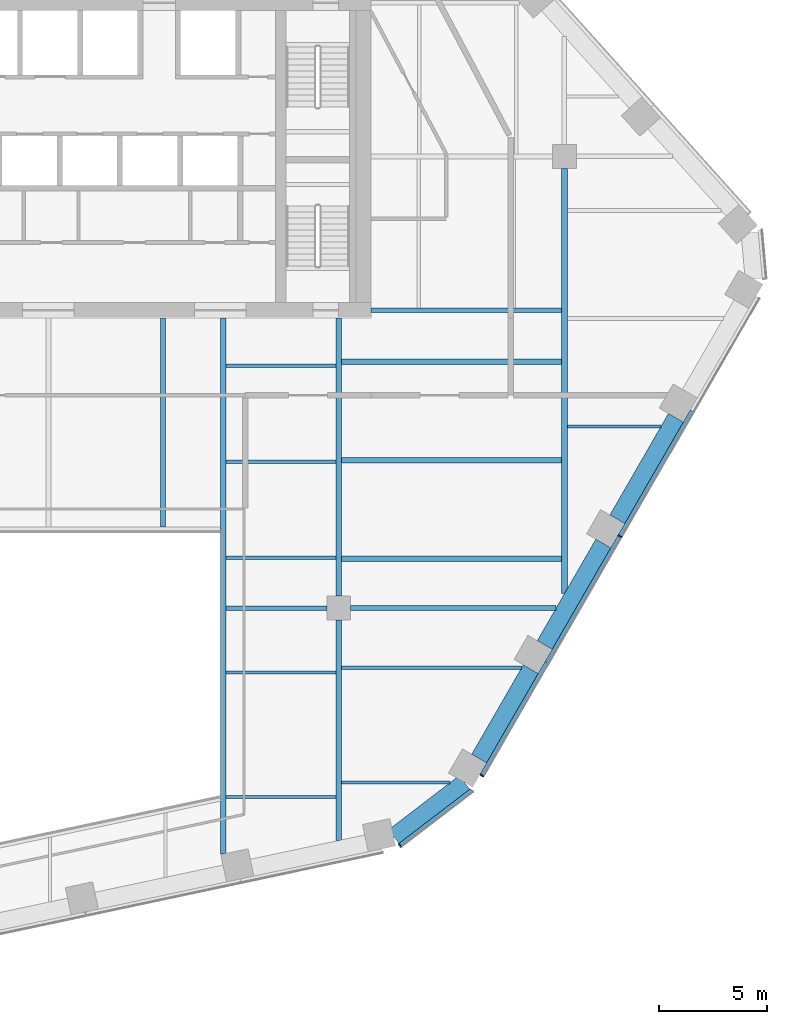
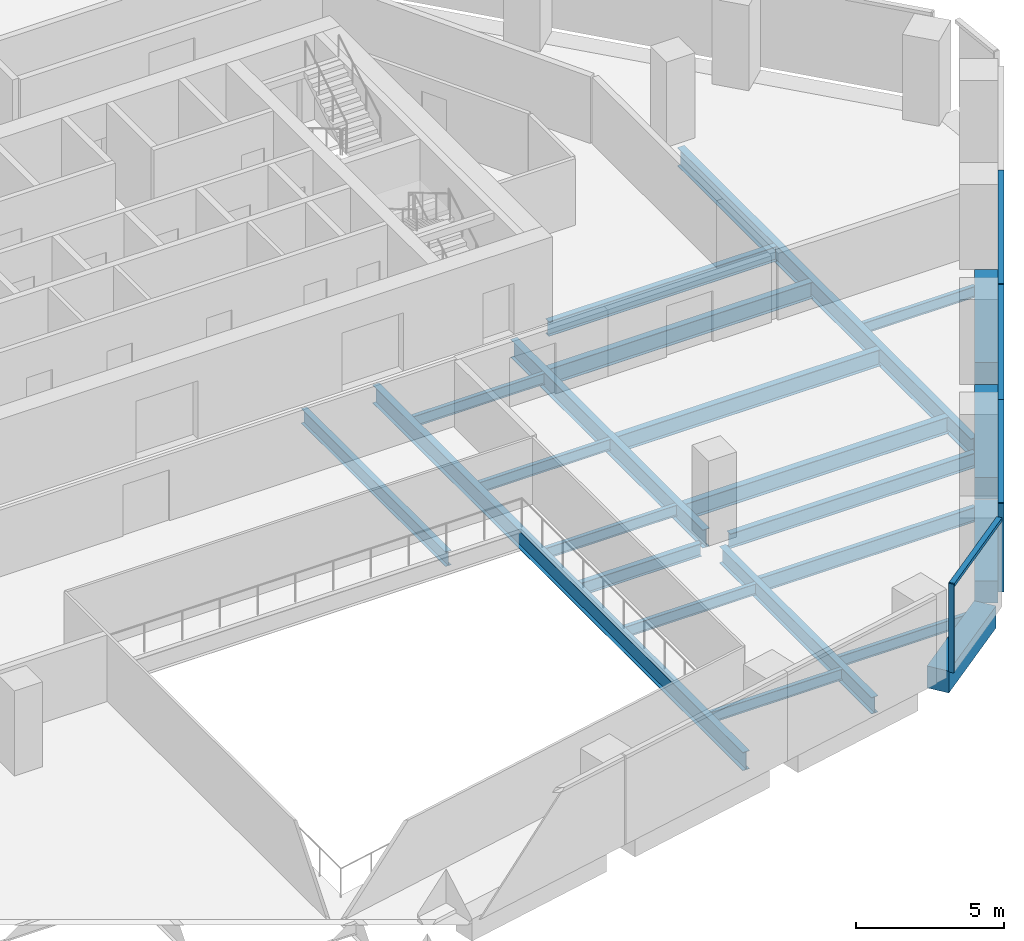
# One storey, part 5 of 16: 23 beams, 7 members, 2 elements without a shape of their own.
"""IFC4 building model written with IfcOpenShell, lengths in metres."""

from ifc_helpers import new_model, si_unit, direction, frame, origin, origin_2d, place, context, subcontext, project, spatial, rectangle, i_section, extrude, material, layer, layer_set, material_profile, profile_set, type_object, element, aggregate, save


model = new_model("IFC4")

# Units and contexts
model_context = context("Model", 3, precision=1e-05, world=origin(), true_north=direction((0.0, 1.0)))
body_context = subcontext(model_context, "Body", "Model", "MODEL_VIEW")
ifc_project = project(units=[si_unit("LENGTHUNIT", "METRE"), si_unit("AREAUNIT", "SQUARE_METRE"), si_unit("VOLUMEUNIT", "CUBIC_METRE"), si_unit("PLANEANGLEUNIT", "RADIAN"), si_unit("MASSUNIT", "GRAM", prefix="KILO")], contexts=[model_context])

# Site, building, storey
site_placement = place(None, origin())
site = spatial("IfcSite", under=ifc_project, at=site_placement, CompositionType="ELEMENT")
building_placement = place(site_placement, origin())
building = spatial("IfcBuilding", under=site, at=building_placement, Name="Isthmus Gate Tower", CompositionType="ELEMENT")
storey_placement = place(building_placement, frame((0.0, 0.0, 178.10009765625)))
storey = spatial("IfcBuildingStorey", under=building, at=storey_placement, Name="L44", CompositionType="ELEMENT", Elevation=178.10009765625)

# Curtain wall, member
ifc_material_1 = material(Name="Aluminium, pale champagne anodised", Category="aluminium")
ifc_layer = layer(ifc_material_1, 0.199951171875)
ifc_layer_set = layer_set([ifc_layer], Name="CW-1 UNITISED CURTAIN WALL 200 DEEP")
curtain_wall_type = type_object("IfcCurtainWallType", Name="CW-1 UNITISED CURTAIN WALL 200 DEEP", PredefinedType="NOTDEFINED", material=ifc_layer_set)
curtain_wall_1_placement = place(storey_placement, origin())
curtain_wall_1 = element("IfcCurtainWall", 1, at=curtain_wall_1_placement, inside=storey, type_object=curtain_wall_type, Name="CW-1 S-SE L44", PredefinedType="NOTDEFINED")
ifc_material_2 = material(Name="Aluminium, pale champagne anodised", Category="aluminium")
ifc_material_profile_1 = material_profile(ifc_material_2, rectangle(XDim=0.06005859375, YDim=0.199951171875, at=origin_2d()), Name="60x200")
ifc_profile_set_1 = profile_set([ifc_material_profile_1], Name="Aluminium, pale champagne anodised")
member_type_1 = type_object("IfcMemberType", Name="CW-1 MULLION 60 X 200", PredefinedType="MULLION", material=ifc_profile_set_1)
member_1_placement = place(storey_placement, frame((16.346435546875, -24.5419921875, 0.0), z_axis=(0.0, 0.0, 1.0), x_axis=(0.794188594387, 0.607671355706, 0.0)))
member_1 = element("IfcMember", 2, at=member_1_placement, type_object=member_type_1, Name="CW-1 mullion", PredefinedType="MULLION", context=body_context, shape_type="SweptSolid", body=[
    extrude(rectangle(XDim=0.06005859375, YDim=0.199951171875, at=origin_2d()), origin(), (0.0, 0.0, 1.0), 3.64990234375),
])

# Curtain wall, members
curtain_wall_2_placement = place(storey_placement, origin())
curtain_wall_2 = element("IfcCurtainWall", 3, at=curtain_wall_2_placement, inside=storey, type_object=curtain_wall_type, Name="CW-1 SE L44", PredefinedType="NOTDEFINED")
member_2_placement = place(storey_placement, frame((20.156005859375, -21.288818359375, 0.0), z_axis=(0.0, 0.0, 1.0), x_axis=(0.5, 0.866025403784, 0.0)))
member_2 = element("IfcMember", 4, at=member_2_placement, type_object=member_type_1, Name="CW-1 mullion", PredefinedType="MULLION", context=body_context, shape_type="SweptSolid", body=[
    extrude(rectangle(XDim=0.06005859375, YDim=0.199951171875, at=origin_2d()), origin(), (0.0, 0.0, 1.0), 3.64990234375),
])
member_3_placement = place(storey_placement, frame((26.5810546875, -10.16015625, 0.0), z_axis=(0.0, 0.0, 1.0), x_axis=(0.5, 0.866025403784, 0.0)))
member_3 = element("IfcMember", 5, at=member_3_placement, type_object=member_type_1, Name="CW-1 mullion", PredefinedType="MULLION", context=body_context, shape_type="SweptSolid", body=[
    extrude(rectangle(XDim=0.06005859375, YDim=0.199951171875, at=origin_2d()), origin(), (0.0, 0.0, 1.0), 3.64990234375),
])

# Member
ifc_material_3 = material(Name="Aluminium, pale champagne anodised", Category="aluminium")
ifc_material_profile_2 = material_profile(ifc_material_3, rectangle(XDim=0.199951171875, YDim=0.139892578125, at=origin_2d()), Name="200x140")
ifc_profile_set_2 = profile_set([ifc_material_profile_2], Name="Aluminium, pale champagne anodised")
member_type_2 = type_object("IfcMemberType", Name="CW-1 TRANSOM 200 X 140", PredefinedType="USERDEFINED", material=ifc_profile_set_2)
member_4_placement = place(storey_placement, frame((16.3701171875, -24.52392578125, 3.579833984375), z_axis=(0.79419705805, 0.607660294066, 0.0), x_axis=(-0.607660294066, 0.79419705805, 0.0)))
member_4 = element("IfcMember", 6, at=member_4_placement, type_object=member_type_2, Name="CW-1 transom", ObjectType="TRANSOM", PredefinedType="USERDEFINED", context=body_context, shape_type="SweptSolid", body=[
    extrude(rectangle(XDim=0.199951171875, YDim=0.139892578125, at=origin_2d()), origin(), (0.0, 0.0, 1.0), 4.181640625),
])

aggregate(curtain_wall_1, [member_1, member_4])

member_5_placement = place(storey_placement, frame((20.171142578125, -21.2626953125, 3.579833984375), z_axis=(0.499990697366, 0.866030774596, 0.0), x_axis=(-0.866030774596, 0.499990697366, 0.0)))
member_5 = element("IfcMember", 7, at=member_5_placement, type_object=member_type_2, Name="CW-1 transom", ObjectType="TRANSOM", PredefinedType="USERDEFINED", context=body_context, shape_type="SweptSolid", body=[
    extrude(rectangle(XDim=0.199951171875, YDim=0.139892578125, at=origin_2d()), origin(), (0.0, 0.0, 1.0), 6.0400390625),
])

member_6_placement = place(storey_placement, frame((23.191162109375, -16.03173828125, 3.579833984375), z_axis=(0.499997969693, 0.866026575979, 0.0), x_axis=(-0.866026575979, 0.499997969693, 0.0)))
member_6 = element("IfcMember", 8, at=member_6_placement, type_object=member_type_2, Name="CW-1 transom", ObjectType="TRANSOM", PredefinedType="USERDEFINED", context=body_context, shape_type="SweptSolid", body=[
    extrude(rectangle(XDim=0.199951171875, YDim=0.139892578125, at=origin_2d()), origin(), (0.0, 0.0, 1.0), 6.75),
])

member_7_placement = place(storey_placement, frame((26.59619140625, -10.134033203125, 3.579833984375), z_axis=(0.499997283838, 0.866026971956, 0.0), x_axis=(-0.866026971956, 0.499997283838, 0.0)))
member_7 = element("IfcMember", 9, at=member_7_placement, type_object=member_type_2, Name="CW-1 transom", ObjectType="TRANSOM", PredefinedType="USERDEFINED", context=body_context, shape_type="SweptSolid", body=[
    extrude(rectangle(XDim=0.199951171875, YDim=0.139892578125, at=origin_2d()), origin(), (0.0, 0.0, 1.0), 6.68994140625),
])

aggregate(curtain_wall_2, [member_2, member_5, member_6, member_3, member_7])

# Beams
ifc_material_4 = material(Name="Concrete f'c 60 MPa", Category="concrete")
ifc_material_profile_3 = material_profile(ifc_material_4, rectangle(XDim=0.800048828125, YDim=0.89990234375, at=origin_2d()), Name="RC 800X900")
ifc_profile_set_3 = profile_set([ifc_material_profile_3], Name="Concrete f'c 60 MPa")
beam_type_1 = type_object("IfcBeamType", Name="RC SPANDREL 800 X 900", PredefinedType="SPANDREL", material=ifc_profile_set_3)
beam_1_placement = place(storey_placement, frame((29.18310546875, -4.653076171875, -0.4501953125), z_axis=(-0.49996933381, -0.866043108194, 0.0), x_axis=(0.866043108194, -0.49996933381, 0.0)))
element("IfcBeam", 10, at=beam_1_placement, inside=storey, type_object=beam_type_1, Name="str-spandrel-L44-07", PredefinedType="SPANDREL", context=body_context, shape_type="SweptSolid", body=[
    extrude(rectangle(XDim=0.800048828125, YDim=0.89990234375, at=origin_2d()), origin(), (0.0, 0.0, 1.0), 5.449951171875),
])
beam_2_placement = place(storey_placement, frame((25.80810546875, -10.4990234375, -0.4501953125), z_axis=(-0.500002931134, -0.866023711487, 0.0), x_axis=(0.866023711487, -0.500002931134, 0.0)))
element("IfcBeam", 11, at=beam_2_placement, inside=storey, type_object=beam_type_1, Name="str-spandrel-L44-08", PredefinedType="SPANDREL", context=body_context, shape_type="SweptSolid", body=[
    extrude(rectangle(XDim=0.800048828125, YDim=0.89990234375, at=origin_2d()), origin(), (0.0, 0.0, 1.0), 5.4501953125),
])
beam_3_placement = place(storey_placement, frame((22.43310546875, -16.3447265625, -0.4501953125), z_axis=(-0.500017431331, -0.866015339567, 0.0), x_axis=(0.866015339567, -0.500017431331, 0.0)))
element("IfcBeam", 12, at=beam_3_placement, inside=storey, type_object=beam_type_1, Name="str-spandrel-L44-09", PredefinedType="SPANDREL", context=body_context, shape_type="SweptSolid", body=[
    extrude(rectangle(XDim=0.800048828125, YDim=0.89990234375, at=origin_2d()), origin(), (0.0, 0.0, 1.0), 4.800048828125),
])
beam_4_placement = place(storey_placement, frame((19.354248046875, -21.611083984375, -0.4501953125), z_axis=(-0.794205941875, -0.607648682949, 0.0), x_axis=(0.607648682949, -0.794205941875, 0.0)))
element("IfcBeam", 13, at=beam_4_placement, inside=storey, type_object=beam_type_1, Name="str-spandrel-L44-10", PredefinedType="SPANDREL", context=body_context, shape_type="SweptSolid", body=[
    extrude(rectangle(XDim=0.800048828125, YDim=0.89990234375, at=origin_2d()), origin(), (0.0, 0.0, 1.0), 4.15234375),
])
ifc_material_5 = material(Name="Structural steel ASTM A992 Gr 50", Category="steel")
ifc_material_profile_4 = material_profile(ifc_material_5, i_section(OverallWidth=0.15234375, OverallDepth=0.45068359375, WebThickness=0.0078125, FlangeThickness=0.010986328125, at=origin_2d()), Name="W18X35")
ifc_profile_set_4 = profile_set([ifc_material_profile_4], Name="Structural steel ASTM A992 Gr 50")
beam_type_2 = type_object("IfcBeamType", Name="STEEL FLOOR BEAM W18X35", PredefinedType="JOIST", material=ifc_profile_set_4)
for number, where, z_axis, x_axis, name in (
    (14, (8.263427734375, -22.291015625, -0.37548828125), (1.0, 0.0, 0.0), (0.0, 1.0, 0.0), "str-beam-L44-09-00"),
    (15, (8.263427734375, -16.500244140625, -0.37548828125), (1.0, 0.0, 0.0), (0.0, 1.0, 0.0), "str-beam-L44-09-01"),
):
    element("IfcBeam", number, at=place(storey_placement, frame(where, z_axis=z_axis, x_axis=x_axis)), inside=storey, type_object=beam_type_2, Name=name, PredefinedType="JOIST", context=body_context, shape_type="SweptSolid", body=[
        extrude(i_section(OverallWidth=0.15234375, OverallDepth=0.45068359375, WebThickness=0.0078125, FlangeThickness=0.010986328125, at=origin_2d()), origin(), (0.0, 0.0, 1.0), 5.109619140625),
    ])
for number, where, z_axis, x_axis, name in (
    (16, (8.263427734375, -11.16259765625, -0.37548828125), (1.0, 0.0, 0.0), (0.0, 1.0, 0.0), "str-beam-L44-10-00"),
    (17, (8.263427734375, -6.697509765625, -0.37548828125), (1.0, 0.0, 0.0), (0.0, 1.0, 0.0), "str-beam-L44-10-01"),
    (18, (8.263427734375, -2.232421875, -0.37548828125), (1.0, 0.0, 0.0), (0.0, 1.0, 0.0), "str-beam-L44-10-02"),
):
    element("IfcBeam", number, at=place(storey_placement, frame(where, z_axis=z_axis, x_axis=x_axis)), inside=storey, type_object=beam_type_2, Name=name, PredefinedType="JOIST", context=body_context, shape_type="SweptSolid", body=[
        extrude(i_section(OverallWidth=0.15234375, OverallDepth=0.45068359375, WebThickness=0.0078125, FlangeThickness=0.010986328125, at=origin_2d()), origin(), (0.0, 0.0, 1.0), 5.104736328125),
    ])
beam_5_placement = place(storey_placement, frame((13.626953125, -21.61767578125, -0.37548828125), z_axis=(1.0, 0.0, 0.0), x_axis=(0.0, 1.0, 0.0)))
element("IfcBeam", 19, at=beam_5_placement, inside=storey, type_object=beam_type_2, Name="str-beam-L44-11-00", PredefinedType="JOIST", context=body_context, shape_type="SweptSolid", body=[
    extrude(i_section(OverallWidth=0.15234375, OverallDepth=0.45068359375, WebThickness=0.0078125, FlangeThickness=0.010986328125, at=origin_2d()), origin(), (0.0, 0.0, 1.0), 5.060302734375),
])
beam_6_placement = place(storey_placement, frame((24.13330078125, -5.0625, -0.37548828125), z_axis=(1.0, 0.0, 0.0), x_axis=(0.0, 1.0, 0.0)))
element("IfcBeam", 20, at=beam_6_placement, inside=storey, type_object=beam_type_2, Name="str-beam-L44-16-00", PredefinedType="JOIST", context=body_context, shape_type="SweptSolid", body=[
    extrude(i_section(OverallWidth=0.15234375, OverallDepth=0.45068359375, WebThickness=0.0078125, FlangeThickness=0.010986328125, at=origin_2d()), origin(), (0.0, 0.0, 1.0), 4.351806640625),
])
ifc_material_6 = material(Name="Structural steel ASTM A992 Gr 50", Category="steel")
ifc_material_profile_5 = material_profile(ifc_material_6, i_section(OverallWidth=0.177734375, OverallDepth=0.60009765625, WebThickness=0.009521484375, FlangeThickness=0.0126953125, at=origin_2d()), Name="W24X55")
ifc_profile_set_5 = profile_set([ifc_material_profile_5], Name="Structural steel ASTM A992 Gr 50")
beam_type_3 = type_object("IfcBeamType", Name="STEEL FLOOR BEAM W24X55", PredefinedType="JOIST", material=ifc_profile_set_5)
beam_7_placement = place(storey_placement, frame((13.626953125, -16.2822265625, -0.4501953125), z_axis=(1.0, 0.0, 0.0), x_axis=(0.0, 1.0, 0.0)))
element("IfcBeam", 21, at=beam_7_placement, inside=storey, type_object=beam_type_3, Name="str-beam-L44-11-01", PredefinedType="JOIST", context=body_context, shape_type="SweptSolid", body=[
    extrude(i_section(OverallWidth=0.177734375, OverallDepth=0.60009765625, WebThickness=0.009521484375, FlangeThickness=0.0126953125, at=origin_2d()), origin(), (0.0, 0.0, 1.0), 8.38037109375),
])
ifc_material_7 = material(Name="Structural steel ASTM A992 Gr 50", Category="steel")
ifc_material_profile_6 = material_profile(ifc_material_7, i_section(OverallWidth=0.228515625, OverallDepth=0.603271484375, WebThickness=0.010986328125, FlangeThickness=0.014404296875, at=origin_2d()), Name="W24X68")
ifc_profile_set_6 = profile_set([ifc_material_profile_6], Name="Structural steel ASTM A992 Gr 50")
beam_type_4 = type_object("IfcBeamType", Name="STEEL FLOOR BEAM W24X68", PredefinedType="JOIST", material=ifc_profile_set_6)
beam_8_placement = place(storey_placement, frame((5.333251953125, -9.7333984375, -0.45166015625), z_axis=(0.0, 1.0, 0.0), x_axis=(-1.0, 0.0, 0.0)))
element("IfcBeam", 22, at=beam_8_placement, inside=storey, type_object=beam_type_4, Name="str-beam-L44-06-02", PredefinedType="JOIST", context=body_context, shape_type="SweptSolid", body=[
    extrude(i_section(OverallWidth=0.228515625, OverallDepth=0.603271484375, WebThickness=0.010986328125, FlangeThickness=0.014404296875, at=origin_2d()), origin(), (0.0, 0.0, 1.0), 9.7333984375),
])
ifc_material_8 = material(Name="Structural steel ASTM A992 Gr 50", Category="steel")
ifc_material_profile_7 = material_profile(ifc_material_8, i_section(OverallWidth=0.25390625, OverallDepth=0.679443359375, WebThickness=0.010986328125, FlangeThickness=0.015869140625, at=origin_2d()), Name="W27X84")
ifc_profile_set_7 = profile_set([ifc_material_profile_7], Name="Structural steel ASTM A992 Gr 50")
beam_type_5 = type_object("IfcBeamType", Name="STEEL FLOOR BEAM W27X84", PredefinedType="JOIST", material=ifc_profile_set_7)
for number, where, z_axis, x_axis, name in (
    (23, (13.6318359375, -11.210693359375, -0.48974609375), (1.0, 0.0, 0.0), (0.0, 1.0, 0.0), "str-beam-L44-12-00"),
    (24, (13.6318359375, -6.632080078125, -0.48974609375), (1.0, 0.0, 0.0), (0.0, 1.0, 0.0), "str-beam-L44-12-01"),
    (25, (13.6318359375, -2.053466796875, -0.48974609375), (1.0, 0.0, 0.0), (0.0, 1.0, 0.0), "str-beam-L44-12-02"),
):
    element("IfcBeam", number, at=place(storey_placement, frame(where, z_axis=z_axis, x_axis=x_axis)), inside=storey, type_object=beam_type_5, Name=name, PredefinedType="JOIST", context=body_context, shape_type="SweptSolid", body=[
        extrude(i_section(OverallWidth=0.25390625, OverallDepth=0.679443359375, WebThickness=0.010986328125, FlangeThickness=0.015869140625, at=origin_2d()), origin(), (0.0, 0.0, 1.0), 10.23486328125),
    ])
ifc_material_9 = material(Name="Structural steel ASTM A992 Gr 50", Category="steel")
ifc_material_profile_8 = material_profile(ifc_material_9, i_section(OverallWidth=0.20947265625, OverallDepth=0.533447265625, WebThickness=0.009521484375, FlangeThickness=0.015869140625, at=origin_2d()), Name="W21X62")
ifc_profile_set_8 = profile_set([ifc_material_profile_8], Name="Structural steel ASTM A992 Gr 50")
beam_type_6 = type_object("IfcBeamType", Name="STEEL GIRDER W21X62", PredefinedType="BEAM", material=ifc_profile_set_8)
beam_9_placement = place(storey_placement, frame((8.263427734375, -13.5, -0.416748046875), z_axis=(1.0, 0.0, 0.0), x_axis=(0.0, 1.0, 0.0)))
element("IfcBeam", 26, at=beam_9_placement, inside=storey, type_object=beam_type_6, Name="str-girder-L44-03", PredefinedType="BEAM", context=body_context, shape_type="SweptSolid", body=[
    extrude(i_section(OverallWidth=0.20947265625, OverallDepth=0.533447265625, WebThickness=0.009521484375, FlangeThickness=0.015869140625, at=origin_2d()), origin(), (0.0, 0.0, 1.0), 4.6865234375),
])
ifc_material_10 = material(Name="Structural steel ASTM A992 Gr 50", Category="steel")
ifc_material_profile_9 = material_profile(ifc_material_10, i_section(OverallWidth=0.228515625, OverallDepth=0.6064453125, WebThickness=0.010986328125, FlangeThickness=0.017578125, at=origin_2d()), Name="W24X76")
ifc_profile_set_9 = profile_set([ifc_material_profile_9], Name="Structural steel ASTM A992 Gr 50")
beam_type_7 = type_object("IfcBeamType", Name="STEEL GIRDER W24X76", PredefinedType="BEAM", material=ifc_profile_set_9)
beam_10_placement = place(storey_placement, frame((14.050048828125, -13.5, -0.453369140625), z_axis=(1.0, 0.0, 0.0), x_axis=(0.0, 1.0, 0.0)))
element("IfcBeam", 27, at=beam_10_placement, inside=storey, type_object=beam_type_7, Name="str-girder-L44-04", PredefinedType="BEAM", context=body_context, shape_type="SweptSolid", body=[
    extrude(i_section(OverallWidth=0.228515625, OverallDepth=0.6064453125, WebThickness=0.010986328125, FlangeThickness=0.017578125, at=origin_2d()), origin(), (0.0, 0.0, 1.0), 9.5634765625),
])
beam_11_placement = place(storey_placement, frame((15.0, 0.35009765625, -0.453369140625), z_axis=(1.0, 0.0, 0.0), x_axis=(0.0, 1.0, 0.0)))
element("IfcBeam", 28, at=beam_11_placement, inside=storey, type_object=beam_type_7, Name="str-girder-L44-14", PredefinedType="BEAM", context=body_context, shape_type="SweptSolid", body=[
    extrude(i_section(OverallWidth=0.228515625, OverallDepth=0.6064453125, WebThickness=0.010986328125, FlangeThickness=0.017578125, at=origin_2d()), origin(), (0.0, 0.0, 1.0), 8.86669921875),
])
ifc_material_11 = material(Name="Structural steel ASTM A992 Gr 50", Category="steel")
ifc_material_profile_10 = material_profile(ifc_material_11, i_section(OverallWidth=0.25390625, OverallDepth=0.679443359375, WebThickness=0.010986328125, FlangeThickness=0.015869140625, at=origin_2d()), Name="W27X84")
ifc_profile_set_10 = profile_set([ifc_material_profile_10], Name="Structural steel ASTM A992 Gr 50")
beam_type_8 = type_object("IfcBeamType", Name="STEEL GIRDER W27X84", PredefinedType="BEAM", material=ifc_profile_set_10)
beam_12_placement = place(storey_placement, frame((13.5, -24.3125, -0.48974609375), z_axis=(0.0, 1.0, 0.0), x_axis=(-1.0, 0.0, 0.0)))
element("IfcBeam", 29, at=beam_12_placement, inside=storey, type_object=beam_type_8, Name="str-girder-L44-09", PredefinedType="BEAM", context=body_context, shape_type="SweptSolid", body=[
    extrude(i_section(OverallWidth=0.25390625, OverallDepth=0.679443359375, WebThickness=0.010986328125, FlangeThickness=0.015869140625, at=origin_2d()), origin(), (0.0, 0.0, 1.0), 10.262451171875),
])
ifc_material_12 = material(Name="Structural steel ASTM A992 Gr 50", Category="steel")
ifc_material_profile_11 = material_profile(ifc_material_12, i_section(OverallWidth=0.2666015625, OverallDepth=0.7587890625, WebThickness=0.014404296875, FlangeThickness=0.01904296875, at=origin_2d()), Name="W30X108")
ifc_profile_set_11 = profile_set([ifc_material_profile_11], Name="Structural steel ASTM A992 Gr 50")
beam_type_9 = type_object("IfcBeamType", Name="STEEL GIRDER W30X108", PredefinedType="BEAM", material=ifc_profile_set_11)
beam_13_placement = place(storey_placement, frame((24.0, -12.830810546875, -0.529541015625), z_axis=(0.0, 1.0, 0.0), x_axis=(-1.0, 0.0, 0.0)))
element("IfcBeam", 30, at=beam_13_placement, inside=storey, type_object=beam_type_9, Name="str-girder-L44-11", PredefinedType="BEAM", context=body_context, shape_type="SweptSolid", body=[
    extrude(i_section(OverallWidth=0.2666015625, OverallDepth=0.7587890625, WebThickness=0.014404296875, FlangeThickness=0.01904296875, at=origin_2d()), origin(), (0.0, 0.0, 1.0), 19.78076171875),
])
ifc_material_13 = material(Name="Structural steel ASTM A992 Gr 50", Category="steel")
ifc_material_profile_12 = material_profile(ifc_material_13, i_section(OverallWidth=0.263427734375, OverallDepth=0.749267578125, WebThickness=0.0126953125, FlangeThickness=0.015869140625, at=origin_2d()), Name="W30X90")
ifc_profile_set_12 = profile_set([ifc_material_profile_12], Name="Structural steel ASTM A992 Gr 50")
beam_type_10 = type_object("IfcBeamType", Name="STEEL GIRDER W30X90", PredefinedType="BEAM", material=ifc_profile_set_12)
beam_14_placement = place(storey_placement, frame((13.5, -12.949951171875, -0.524658203125), z_axis=(0.0, 1.0, 0.0), x_axis=(-1.0, 0.0, 0.0)))
element("IfcBeam", 31, at=beam_14_placement, inside=storey, type_object=beam_type_10, Name="str-girder-L44-10", PredefinedType="BEAM", context=body_context, shape_type="SweptSolid", body=[
    extrude(i_section(OverallWidth=0.263427734375, OverallDepth=0.749267578125, WebThickness=0.0126953125, FlangeThickness=0.015869140625, at=origin_2d()), origin(), (0.0, 0.0, 1.0), 12.949951171875),
])
ifc_material_14 = material(Name="Structural steel ASTM A992 Gr 50", Category="steel")
ifc_material_profile_13 = material_profile(ifc_material_14, i_section(OverallWidth=0.263427734375, OverallDepth=0.749267578125, WebThickness=0.0126953125, FlangeThickness=0.015869140625, at=origin_2d()), Name="W30X90")
ifc_profile_set_13 = profile_set([ifc_material_profile_13], Name="Structural steel ASTM A992 Gr 50")
beam_type_11 = type_object("IfcBeamType", Name="STEEL TRIMMER W30X90", PredefinedType="BEAM", material=ifc_profile_set_13)
beam_15_placement = place(storey_placement, frame((8.1318359375, -24.9423828125, -0.524658203125), z_axis=(0.0, 1.0, 0.0), x_axis=(-1.0, 0.0, 0.0)))
element("IfcBeam", 32, at=beam_15_placement, inside=storey, type_object=beam_type_11, Name="str-trimmer-L44-01", PredefinedType="BEAM", context=body_context, shape_type="SweptSolid", body=[
    extrude(i_section(OverallWidth=0.263427734375, OverallDepth=0.749267578125, WebThickness=0.0126953125, FlangeThickness=0.015869140625, at=origin_2d()), origin(), (0.0, 0.0, 1.0), 24.9423828125),
])

save(model, "model.ifc")
